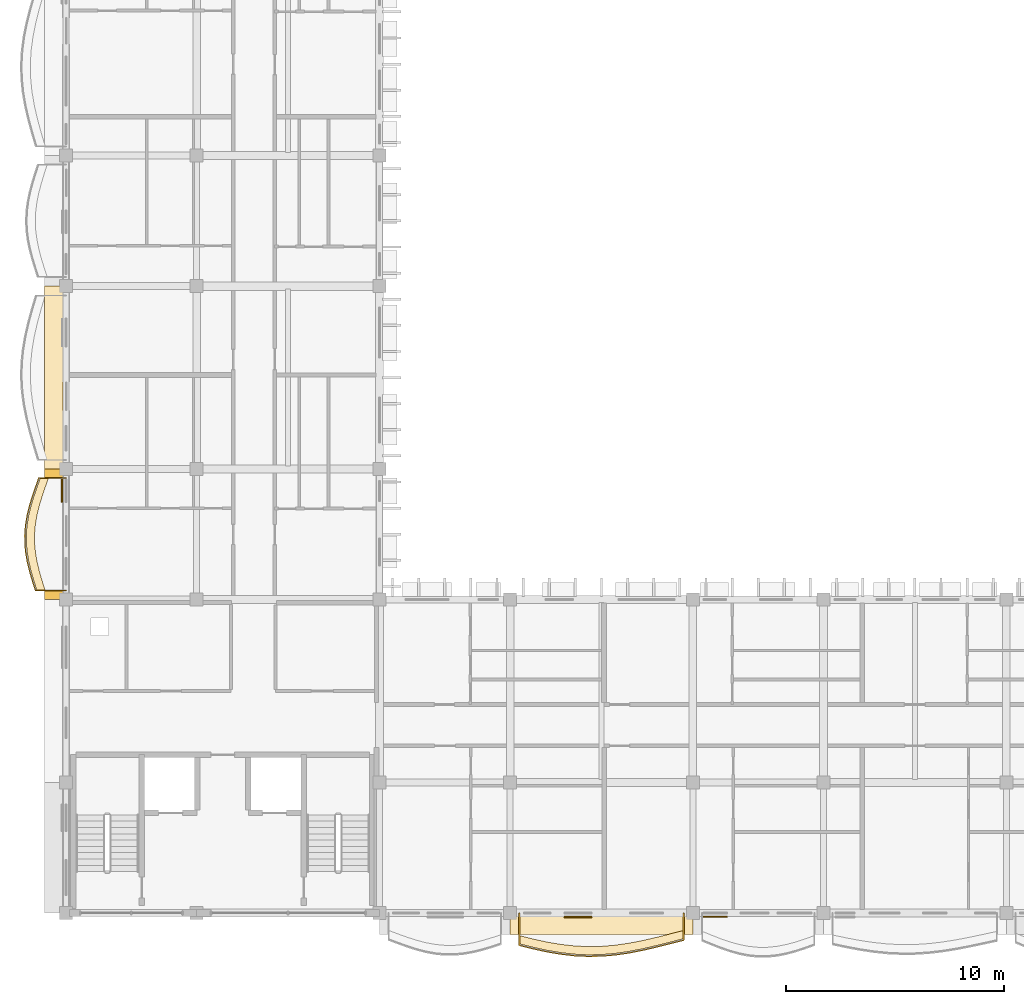
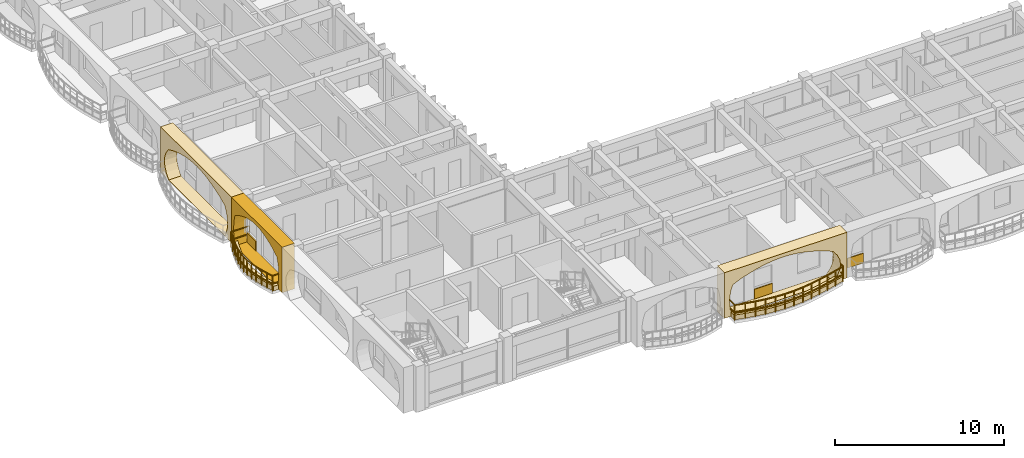
# One storey, part 42 of 70: 8 coverings, 2 railings.
"""IFC4 building model written with IfcOpenShell, lengths in metres."""

import ifcopenshell
import ifcopenshell.guid

model = None  # the IFC model being written
_history = None  # IfcOwnerHistory: only IFC2X3 demands one
_inside = {}  # id of a spatial element -> (the spatial element, [elements in it])
_under = {}  # id of a project, library or spatial element -> (it, [spatial elements below it])
_declared = {}  # id of a project -> (the project, [libraries it declares])
_typed = {}  # id of a type object -> (the type object, [elements of that type])
_made_of = {}  # id of a material, layer set ... -> (it, [elements and type objects made of it])


def new_model(schema):
    """Start an empty IFC model of exactly this schema.

    Asked for "IFC4X3", IfcOpenShell would pick the latest addendum, in which some entities
    have other attributes; the version numbers below select the first issue.
    IFC2X3 requires an IfcOwnerHistory on every rooted entity: one is made here for all.
    """
    global model, _history
    if schema == "IFC4X3":
        model = ifcopenshell.file(schema_version=(4, 3, 0, 0))
    else:
        model = ifcopenshell.file(schema=schema)
    _inside.clear()
    _under.clear()
    _declared.clear()
    _typed.clear()
    _made_of.clear()
    _history = None
    if model.schema == "IFC2X3":
        org = make("IfcOrganization", Name="unknown")
        user = make(
            "IfcPersonAndOrganization",
            ThePerson=make("IfcPerson", FamilyName="unknown"),
            TheOrganization=org,
        )
        app = make(
            "IfcApplication",
            ApplicationDeveloper=org,
            Version="unknown",
            ApplicationFullName="unknown",
            ApplicationIdentifier="unknown",
        )
        _history = make(
            "IfcOwnerHistory",
            OwningUser=user,
            OwningApplication=app,
            ChangeAction="ADDED",
            CreationDate=0,
        )
    return model


def make(cls, **values):
    """One entity of the class cls with the attributes given. An attribute that is None is left unset."""
    return model.create_entity(
        cls, **{name: value for name, value in values.items() if value is not None}
    )


def rooted(cls, **values):
    """An entity with a GlobalId (a new one), such as an element, a storey or a relation."""
    return make(cls, GlobalId=ifcopenshell.guid.new(), OwnerHistory=_history, **values)


def si_unit(unit_type, name, prefix=None):
    """IfcSIUnit, for example si_unit("LENGTHUNIT", "METRE", prefix="MILLI")."""
    return make("IfcSIUnit", UnitType=unit_type, Prefix=prefix, Name=name)


def assignment(units):
    """IfcUnitAssignment: the units of a project."""
    return None if units is None else make("IfcUnitAssignment", Units=units)


def point(xyz):
    """IfcCartesianPoint."""
    return None if xyz is None else make("IfcCartesianPoint", Coordinates=xyz)


def direction(xyz):
    """IfcDirection."""
    return None if xyz is None else make("IfcDirection", DirectionRatios=xyz)


def frame(location, z_axis=None, x_axis=None):
    """IfcAxis2Placement3D, a coordinate frame: its origin and axes. An axis left out is left unset."""
    return make(
        "IfcAxis2Placement3D",
        Location=point(location),
        Axis=direction(z_axis),
        RefDirection=direction(x_axis),
    )


def frame_2d(location, x_axis=None):
    """IfcAxis2Placement2D, a coordinate frame in the plane: its origin and x axis."""
    return make(
        "IfcAxis2Placement2D", Location=point(location), RefDirection=direction(x_axis)
    )


def origin():
    """The frame at (0, 0, 0) with its axes left unset."""
    return frame((0.0, 0.0, 0.0))


def origin_2d():
    """The frame at (0, 0) in the plane with its x axis left unset."""
    return frame_2d((0.0, 0.0))


def place(relative_to, where):
    """IfcLocalPlacement: puts the frame where relative to a parent placement (None: the world)."""
    return make(
        "IfcLocalPlacement", PlacementRelTo=relative_to, RelativePlacement=where
    )


def context(
    kind, dimensions, precision=None, world=None, true_north=None, identifier=None
):
    """IfcGeometricRepresentationContext, for example the 3D "Model" context."""
    return make(
        "IfcGeometricRepresentationContext",
        ContextIdentifier=identifier,
        ContextType=kind,
        CoordinateSpaceDimension=dimensions,
        Precision=precision,
        WorldCoordinateSystem=world,
        TrueNorth=true_north,
    )


def subcontext(parent, identifier, kind, view, scale=None):
    """IfcGeometricRepresentationSubContext, for example "Body" below "Model"."""
    return make(
        "IfcGeometricRepresentationSubContext",
        ContextIdentifier=identifier,
        ContextType=kind,
        ParentContext=parent,
        TargetScale=scale,
        TargetView=view,
    )


def project(units=None, contexts=None):
    """IfcProject with its units and contexts."""
    return rooted(
        "IfcProject",
        Name="project",
        RepresentationContexts=contexts,
        UnitsInContext=assignment(units),
    )


def spatial(cls, under=None, at=None, **own):
    """A site, building, storey or space (cls), placed at a placement, below another one or the project."""
    s = rooted(cls, ObjectPlacement=at, **own)
    if under is not None:
        _under.setdefault(under.id(), (under, []))[1].append(s)
    return s


def polyline(points):
    """IfcPolyline through the points."""
    return make("IfcPolyline", Points=[point(p) for p in points])


def profile(cls, at=None, kind="AREA", **sizes):
    """A parametric profile (cls). Its sizes go by their IFC names, for example OverallWidth=200.0."""
    return make(cls, ProfileType=kind, Position=at, **sizes)


def rectangle(**sizes):
    """IfcRectangleProfileDef."""
    return profile("IfcRectangleProfileDef", **sizes)


def outline(outer, holes=None, kind="AREA"):
    """IfcArbitraryClosedProfileDef: a profile drawn as a closed curve; with holes, ...WithVoids."""
    if holes is None:
        return make("IfcArbitraryClosedProfileDef", ProfileType=kind, OuterCurve=outer)
    return make(
        "IfcArbitraryProfileDefWithVoids",
        ProfileType=kind,
        OuterCurve=outer,
        InnerCurves=holes,
    )


def extrude(swept, where, along, depth):
    """IfcExtrudedAreaSolid: the profile swept, set in the frame where, extruded along a direction by depth."""
    return make(
        "IfcExtrudedAreaSolid",
        SweptArea=swept,
        Position=where,
        ExtrudedDirection=direction(along),
        Depth=depth,
    )


def shape(context_of_items, identifier, shape_type, items):
    """IfcShapeRepresentation: the items that make up one representation, for example the "Body"."""
    return make(
        "IfcShapeRepresentation",
        ContextOfItems=context_of_items,
        RepresentationIdentifier=identifier,
        RepresentationType=shape_type,
        Items=items,
    )


def material(Name=None, Category=None):
    """IfcMaterial."""
    return make("IfcMaterial", Name=Name, Category=Category)


def layer(
    of_material, thickness, ventilated=None, Name=None, Category=None, Priority=None
):
    """IfcMaterialLayer: one layer of a wall or slab, of a material (None: an air gap)."""
    return make(
        "IfcMaterialLayer",
        Material=of_material,
        LayerThickness=thickness,
        IsVentilated=ventilated,
        Name=Name,
        Category=Category,
        Priority=Priority,
    )


def layer_set(layers, Name=None):
    """IfcMaterialLayerSet."""
    return make("IfcMaterialLayerSet", MaterialLayers=layers, LayerSetName=Name)


def made_of(thing, what):
    """Note that an element or type object is made of a material, layer set ...; save() writes the relation."""
    if what is not None:
        _made_of.setdefault(what.id(), (what, []))[1].append(thing)
    return thing


def type_object(cls, material=None, **own):
    """A type object (cls), such as IfcWallType, which elements share."""
    return made_of(rooted(cls, **own), material)


def element(
    cls,
    number,
    at=None,
    inside=None,
    cuts=None,
    type_object=None,
    material=None,
    context=None,
    identifier="Body",
    shape_type=None,
    held_by="IfcProductDefinitionShape",
    body=None,
    shapes=None,
    **own,
):
    """One element of the class cls, such as IfcWall. Its Tag is "e" and its number.

    at: its placement. inside: the storey or other place that contains it. cuts: it is an
    opening in that element (IfcRelVoidsElement). A single representation is given by context,
    identifier, shape_type and body (its items); several are given by shapes. held_by: the class
    of the entity that holds the representations. save() writes the other relations.
    """
    e = rooted(cls, Tag="e%d" % number, ObjectPlacement=at, **own)
    if body is not None:
        shapes = [shape(context, identifier, shape_type, body)]
    if shapes is not None:
        e.Representation = make(held_by, Representations=shapes)
    if inside is not None:
        _inside.setdefault(inside.id(), (inside, []))[1].append(e)
    if cuts is not None:
        rooted(
            "IfcRelVoidsElement", RelatingBuildingElement=cuts, RelatedOpeningElement=e
        )
    if type_object is not None:
        _typed.setdefault(type_object.id(), (type_object, []))[1].append(e)
    return made_of(e, material)


def aggregate(whole, parts):
    """IfcRelAggregates: a whole, such as a stair, and the parts it consists of."""
    return rooted("IfcRelAggregates", RelatingObject=whole, RelatedObjects=parts)


def save(model, path):
    """Write the relations noted so far, then the file.

    IfcRelAggregates (storeys below a building ...), IfcRelContainedInSpatialStructure (elements
    in a storey), IfcRelDefinesByType, IfcRelAssociatesMaterial and IfcRelDeclares: one each for
    every whole, place, type object, material and project.
    """
    for whole, parts in _under.values():
        aggregate(whole, parts)
    for where, things in _inside.values():
        rooted(
            "IfcRelContainedInSpatialStructure",
            RelatedElements=things,
            RelatingStructure=where,
        )
    for kind, things in _typed.values():
        rooted("IfcRelDefinesByType", RelatedObjects=things, RelatingType=kind)
    for what, things in _made_of.values():
        rooted("IfcRelAssociatesMaterial", RelatedObjects=things, RelatingMaterial=what)
    for by, libraries in _declared.values():
        rooted("IfcRelDeclares", RelatingContext=by, RelatedDefinitions=libraries)
    model.write(path)


model = new_model("IFC4")

# Units and contexts
model_context = context("Model", 3, precision=1e-05, world=origin(), true_north=direction((0.0, 1.0)))
body_context = subcontext(model_context, "Body", "Model", "MODEL_VIEW")
ifc_project = project(units=[si_unit("LENGTHUNIT", "METRE"), si_unit("AREAUNIT", "SQUARE_METRE"), si_unit("VOLUMEUNIT", "CUBIC_METRE"), si_unit("PLANEANGLEUNIT", "RADIAN"), si_unit("MASSUNIT", "GRAM", prefix="KILO"), si_unit("THERMODYNAMICTEMPERATUREUNIT", "KELVIN")], contexts=[model_context])

# Site, building, storey
site_placement = place(None, origin())
site = spatial("IfcSite", under=ifc_project, at=site_placement, CompositionType="ELEMENT")
building_placement = place(site_placement, origin())
building = spatial("IfcBuilding", under=site, at=building_placement, Name="Thalorik Housing Commons", CompositionType="ELEMENT")
storey_placement = place(building_placement, frame((0.0, 0.0, 14.699951171875)))
storey = spatial("IfcBuildingStorey", under=building, at=storey_placement, Name="L04", CompositionType="ELEMENT", Elevation=14.699951171875)

# Coverings
ifc_material_1 = material(Name="Precast concrete C40/50", Category="concrete")
ifc_layer_1 = layer(ifc_material_1, 0.85009765625, Name="Precast concrete C40/50", Category="concrete")
ifc_layer_set_1 = layer_set([ifc_layer_1], Name="Precast concrete C40/50")
covering_type_1 = type_object("IfcCoveringType", Name="ARC-CLD-CUSH-850", PredefinedType="CLADDING", material=ifc_layer_set_1)
covering_1_placement = place(storey_placement, frame((7.830078125, 33.0, 0.0), z_axis=(0.0, 0.0, 1.0), x_axis=(0.0, -1.0, 0.0)))
element("IfcCovering", 1, at=covering_1_placement, inside=storey, type_object=covering_type_1, Name="L04 White Precast Curved Cushion Bay Frame 3838", PredefinedType="CLADDING", context=body_context, shape_type="SweptSolid", body=[
    extrude(outline(polyline([(-4.199951171875, 0.0), (4.199951171875, 0.0), (4.199951171875, 3.300048828125), (-4.199951171875, 3.300048828125), (-4.199951171875, 0.0)]), holes=[polyline([(3.409912109375, 0.02490234375), (3.598876953125, 0.390869140625), (3.712158203125, 0.756591796875), (3.75, 1.12255859375), (3.712158203125, 1.48828125), (3.598876953125, 1.854248046875), (3.409912109375, 2.219970703125), (2.855712890625, 2.469482421875), (2.3017578125, 2.66552734375), (1.74755859375, 2.824462890625), (1.193359375, 2.9423828125), (0.63916015625, 3.015380859375), (0.0849609375, 3.0400390625), (-0.46923828125, 3.015380859375), (-1.023193359375, 2.9423828125), (-1.577392578125, 2.824462890625), (-2.131591796875, 2.66552734375), (-2.685791015625, 2.469482421875), (-3.239990234375, 2.219970703125), (-3.523193359375, 1.854248046875), (-3.693359375, 1.48828125), (-3.75, 1.12255859375), (-3.693359375, 0.756591796875), (-3.523193359375, 0.390869140625), (-3.239990234375, 0.02490234375), (3.409912109375, 0.02490234375)])]), frame((0.0, 0.425048828125, 0.0), z_axis=(0.0, -1.0, 0.0), x_axis=(1.0, 0.0, 0.0)), (0.0, 0.0, 1.0), 0.85009765625),
])
covering_2_placement = place(storey_placement, frame((7.830078125, 25.800048828125, 0.0), z_axis=(0.0, 0.0, 1.0), x_axis=(0.0, -1.0, 0.0)))
element("IfcCovering", 2, at=covering_2_placement, inside=storey, type_object=covering_type_1, Name="L04 White Precast Curved Cushion Bay Frame 3840", PredefinedType="CLADDING", context=body_context, shape_type="SweptSolid", body=[
    extrude(outline(polyline([(-3.0, 0.0), (3.0, 0.0), (3.0, 3.300048828125), (-3.0, 3.300048828125), (-3.0, 0.0)]), holes=[polyline([(2.375, 0.02490234375), (2.5068359375, 0.394287109375), (2.586181640625, 0.76318359375), (2.612548828125, 1.132568359375), (2.586181640625, 1.501708984375), (2.5068359375, 1.870849609375), (2.375, 2.239990234375), (1.96240234375, 2.4833984375), (1.550048828125, 2.6748046875), (1.137451171875, 2.82958984375), (0.72509765625, 2.94482421875), (0.3125, 3.01611328125), (-0.10009765625, 3.0400390625), (-0.512451171875, 3.01611328125), (-0.925048828125, 2.94482421875), (-1.33740234375, 2.82958984375), (-1.75, 2.6748046875), (-2.16259765625, 2.4833984375), (-2.574951171875, 2.239990234375), (-2.664794921875, 1.870849609375), (-2.718505859375, 1.501708984375), (-2.736572265625, 1.132568359375), (-2.718505859375, 0.76318359375), (-2.664794921875, 0.394287109375), (-2.574951171875, 0.02490234375), (2.375, 0.02490234375)])]), frame((0.0, 0.425048828125, 0.0), z_axis=(0.0, -1.0, 0.0), x_axis=(1.0, 0.0, 0.0)), (0.0, 0.0, 1.0), 0.85009765625),
])
covering_3_placement = place(storey_placement, frame((33.0, 7.830078125, 0.0), z_axis=(0.0, 0.0, 1.0), x_axis=(1.0, 0.0, 0.0)))
element("IfcCovering", 3, at=covering_3_placement, inside=storey, type_object=covering_type_1, Name="L04 White Precast Curved Cushion Bay Frame 3848", PredefinedType="CLADDING", context=body_context, shape_type="SweptSolid", body=[
    extrude(outline(polyline([(-4.199951171875, 0.0), (4.199951171875, 0.0), (4.199951171875, 3.300048828125), (-4.199951171875, 3.300048828125), (-4.199951171875, 0.0)]), holes=[polyline([(3.239990234375, 0.02490234375), (3.523193359375, 0.394287109375), (3.693359375, 0.76318359375), (3.75, 1.132568359375), (3.693359375, 1.501708984375), (3.523193359375, 1.870849609375), (3.239990234375, 2.239990234375), (2.66748046875, 2.4833984375), (2.094970703125, 2.6748046875), (1.5224609375, 2.82958984375), (0.949951171875, 2.94482421875), (0.37744140625, 3.01611328125), (-0.195068359375, 3.0400390625), (-0.767578125, 3.01611328125), (-1.340087890625, 2.94482421875), (-1.91259765625, 2.82958984375), (-2.485107421875, 2.6748046875), (-3.0576171875, 2.4833984375), (-3.6298828125, 2.239990234375), (-3.750244140625, 1.870849609375), (-3.822509765625, 1.501708984375), (-3.8466796875, 1.132568359375), (-3.822509765625, 0.76318359375), (-3.750244140625, 0.394287109375), (-3.6298828125, 0.02490234375), (3.239990234375, 0.02490234375)])]), frame((0.0, 0.425048828125, 0.0), z_axis=(0.0, -1.0, 0.0), x_axis=(1.0, 0.0, 0.0)), (0.0, 0.0, 1.0), 0.85009765625),
])
ifc_material_2 = material(Name="Terracotta red mineral fibre-cement panel", Category="masonry")
ifc_layer_2 = layer(ifc_material_2, 0.054931640625, Name="Terracotta red mineral fibre-cement panel", Category="masonry")
ifc_layer_set_2 = layer_set([ifc_layer_2], Name="Terracotta red mineral fibre-cement panel")
covering_type_2 = type_object("IfcCoveringType", Name="ARC-CLD-RED-55", PredefinedType="CLADDING", material=ifc_layer_set_2)
covering_4_placement = place(storey_placement, frame((38.219970703125, 8.222412109375, 0.05029296875), z_axis=(0.0, 0.0, 1.0), x_axis=(1.0, 0.0, 0.0)))
element("IfcCovering", 4, at=covering_4_placement, inside=storey, type_object=covering_type_2, Name="L04 De Stijl Recessed Window Spandrel 3851", PredefinedType="CLADDING", context=body_context, shape_type="SweptSolid", body=[
    extrude(rectangle(XDim=1.10009765625, YDim=0.054931640625, at=origin_2d()), origin(), (0.0, 0.0, 1.0), 0.699951171875),
])
ifc_material_3 = material(Name="Mineral ochre architectural terracotta panel", Category="masonry")
ifc_layer_3 = layer(ifc_material_3, 0.06494140625, Name="Mineral ochre architectural terracotta panel", Category="masonry")
ifc_layer_set_3 = layer_set([ifc_layer_3], Name="Mineral ochre architectural terracotta panel")
covering_type_3 = type_object("IfcCoveringType", Name="ARC-CLD-YEL-65", PredefinedType="CLADDING", material=ifc_layer_set_3)
covering_5_placement = place(storey_placement, frame((8.217529296875, 27.800048828125, 0.05029296875), z_axis=(0.0, 0.0, 1.0), x_axis=(0.0, -1.0, 0.0)))
element("IfcCovering", 5, at=covering_5_placement, inside=storey, type_object=covering_type_3, Name="L04 De Stijl Recessed Window Spandrel 3841", PredefinedType="CLADDING", context=body_context, shape_type="SweptSolid", body=[
    extrude(rectangle(XDim=1.050048828125, YDim=0.06494140625, at=origin_2d()), origin(), (0.0, 0.0, 1.0), 0.699951171875),
])
covering_6_placement = place(storey_placement, frame((31.919921875, 8.217529296875, 0.05029296875), z_axis=(0.0, 0.0, 1.0), x_axis=(1.0, 0.0, 0.0)))
element("IfcCovering", 6, at=covering_6_placement, inside=storey, type_object=covering_type_3, Name="L04 De Stijl Recessed Window Spandrel 3849", PredefinedType="CLADDING", context=body_context, shape_type="SweptSolid", body=[
    extrude(rectangle(XDim=1.25, YDim=0.06494140625, at=origin_2d()), origin(), (0.0, 0.0, 1.0), 0.699951171875),
])
ifc_material_4 = material(Name="Planted vegetated substrate and terracotta trough", Category="masonry")
ifc_layer_4 = layer(ifc_material_4, 0.340087890625, Name="Planted vegetated substrate and terracotta trough", Category="masonry")
ifc_layer_set_4 = layer_set([ifc_layer_4], Name="Planted vegetated substrate and terracotta trough")
covering_type_4 = type_object("IfcCoveringType", Name="ARC-COV-PLANTER", PredefinedType="USERDEFINED", material=ifc_layer_set_4)
covering_7_placement = place(storey_placement, origin())
element("IfcCovering", 7, at=covering_7_placement, inside=storey, type_object=covering_type_4, Name="L04 Balcony Slab-Edge Planted Trough 5587", ObjectType="PLANTER", PredefinedType="USERDEFINED", context=body_context, shape_type="SweptSolid", body=[
    extrude(outline(polyline([(7.213134765625, 28.3798828125), (7.060302734375, 27.949951171875), (6.913818359375, 27.52001953125), (6.7841796875, 27.090087890625), (6.68017578125, 26.659912109375), (6.608154296875, 26.22998046875), (6.572998046875, 25.800048828125), (6.576904296875, 25.3701171875), (6.618408203125, 24.93994140625), (6.694580078125, 24.510009765625), (6.79931640625, 24.080078125), (6.924560546875, 23.64990234375), (7.061279296875, 23.219970703125), (7.44140625, 23.219970703125), (7.304443359375, 23.64990234375), (7.17919921875, 24.080078125), (7.074462890625, 24.510009765625), (6.998291015625, 24.93994140625), (6.956787109375, 25.3701171875), (6.953125, 25.800048828125), (6.98828125, 26.22998046875), (7.06005859375, 26.659912109375), (7.164306640625, 27.090087890625), (7.2939453125, 27.52001953125), (7.440185546875, 27.949951171875), (7.59326171875, 28.3798828125), (7.213134765625, 28.3798828125)])), origin(), (0.0, 0.0, 1.0), 0.340087890625),
])
covering_8_placement = place(storey_placement, origin())
element("IfcCovering", 8, at=covering_8_placement, inside=storey, type_object=covering_type_4, Name="L04 Balcony Slab-Edge Planted Trough 5593", ObjectType="PLANTER", PredefinedType="USERDEFINED", context=body_context, shape_type="SweptSolid", body=[
    extrude(outline(polyline([(29.219970703125, 6.982421875), (29.85009765625, 6.825927734375), (30.47998046875, 6.68896484375), (31.110107421875, 6.580810546875), (31.739990234375, 6.5087890625), (32.3701171875, 6.4775390625), (33.0, 6.489013671875), (33.6298828125, 6.542236328125), (34.260009765625, 6.63330078125), (34.889892578125, 6.755615234375), (35.52001953125, 6.90087890625), (36.14990234375, 7.059326171875), (36.780029296875, 7.219482421875), (36.780029296875, 7.599609375), (36.14990234375, 7.439208984375), (35.52001953125, 7.281005859375), (34.889892578125, 7.135498046875), (34.260009765625, 7.01318359375), (33.6298828125, 6.922119140625), (33.0, 6.868896484375), (32.3701171875, 6.857666015625), (31.739990234375, 6.888916015625), (31.110107421875, 6.9609375), (30.47998046875, 7.069091796875), (29.85009765625, 7.205810546875), (29.219970703125, 7.3623046875), (29.219970703125, 6.982421875)])), origin(), (0.0, 0.0, 1.0), 0.340087890625),
])

# Railings
ifc_material_5 = material(Name="Steel S355", Category="steel")
railing_type = type_object("IfcRailingType", Name="ARC-RL-BAL-115", PredefinedType="BALUSTRADE", material=ifc_material_5)
railing_1_placement = place(storey_placement, frame((8.39990234375, 28.3798828125, 0.0)))
element("IfcRailing", 9, at=railing_1_placement, inside=storey, type_object=railing_type, Name="L04 Cushion Balcony Guardrail 271", PredefinedType="BALUSTRADE", context=body_context, shape_type="SweptSolid", body=[
    extrude(rectangle(XDim=0.050048828125, YDim=0.050048828125, at=origin_2d()), frame((0.0, 0.0, 1.125), z_axis=(-1.0, 0.0, 0.0), x_axis=(0.0, -1.0, 0.0)), (0.0, 0.0, 1.0), 1.256591796875),
    extrude(rectangle(XDim=0.050048828125, YDim=0.050048828125, at=origin_2d()), frame((0.0, 0.0, 0.5498046875), z_axis=(-1.0, 0.0, 0.0), x_axis=(0.0, -1.0, 0.0)), (0.0, 0.0, 1.0), 1.256591796875),
    extrude(rectangle(XDim=0.050048828125, YDim=0.050048828125, at=origin_2d()), frame((-1.256591796875, 0.0, 1.125), z_axis=(-0.335421235199, -0.942068253885, 0.0), x_axis=(0.942068253885, -0.335421235199, 0.0)), (0.0, 0.0, 1.0), 0.456298828125),
    extrude(rectangle(XDim=0.050048828125, YDim=0.050048828125, at=origin_2d()), frame((-1.256591796875, 0.0, 0.5498046875), z_axis=(-0.335421235199, -0.942068253885, 0.0), x_axis=(0.942068253885, -0.335421235199, 0.0)), (0.0, 0.0, 1.0), 0.456298828125),
    extrude(rectangle(XDim=0.050048828125, YDim=0.050048828125, at=origin_2d()), frame((-1.40966796875, -0.429931640625, 1.125), z_axis=(-0.322028024828, -0.94673013643, 0.0), x_axis=(0.94673013643, -0.322028024828, 0.0)), (0.0, 0.0, 1.0), 0.4541015625),
    extrude(rectangle(XDim=0.050048828125, YDim=0.050048828125, at=origin_2d()), frame((-1.40966796875, -0.429931640625, 0.5498046875), z_axis=(-0.322028024828, -0.94673013643, 0.0), x_axis=(0.94673013643, -0.322028024828, 0.0)), (0.0, 0.0, 1.0), 0.4541015625),
    extrude(rectangle(XDim=0.050048828125, YDim=0.050048828125, at=origin_2d()), frame((-1.555908203125, -0.85986328125, 1.125), z_axis=(-0.28869433299, -0.957421319012, 0.0), x_axis=(0.957421319012, -0.28869433299, 0.0)), (0.0, 0.0, 1.0), 0.448974609375),
    extrude(rectangle(XDim=0.050048828125, YDim=0.050048828125, at=origin_2d()), frame((-1.555908203125, -0.85986328125, 0.5498046875), z_axis=(-0.28869433299, -0.957421319012, 0.0), x_axis=(0.957421319012, -0.28869433299, 0.0)), (0.0, 0.0, 1.0), 0.448974609375),
    extrude(rectangle(XDim=0.050048828125, YDim=0.050048828125, at=origin_2d()), frame((-1.685546875, -1.289794921875, 1.125), z_axis=(-0.235521092215, -0.971869237666, 0.0), x_axis=(0.971869237666, -0.235521092215, 0.0)), (0.0, 0.0, 1.0), 0.442626953125),
    extrude(rectangle(XDim=0.050048828125, YDim=0.050048828125, at=origin_2d()), frame((-1.685546875, -1.289794921875, 0.5498046875), z_axis=(-0.235521092215, -0.971869237666, 0.0), x_axis=(0.971869237666, -0.235521092215, 0.0)), (0.0, 0.0, 1.0), 0.442626953125),
    extrude(rectangle(XDim=0.050048828125, YDim=0.050048828125, at=origin_2d()), frame((-1.789794921875, -1.719970703125, 1.125), z_axis=(-0.165216308844, -0.986257355507, 0.0), x_axis=(0.986257355507, -0.165216308844, 0.0)), (0.0, 0.0, 1.0), 0.43603515625),
    extrude(rectangle(XDim=0.050048828125, YDim=0.050048828125, at=origin_2d()), frame((-1.789794921875, -1.719970703125, 0.5498046875), z_axis=(-0.165216308844, -0.986257355507, 0.0), x_axis=(0.986257355507, -0.165216308844, 0.0)), (0.0, 0.0, 1.0), 0.43603515625),
    extrude(rectangle(XDim=0.050048828125, YDim=0.050048828125, at=origin_2d()), frame((-1.86181640625, -2.14990234375, 1.125), z_axis=(-0.080937446433, -0.996719183002, 0.0), x_axis=(0.996719183002, -0.080937446433, 0.0)), (0.0, 0.0, 1.0), 0.431396484375),
    extrude(rectangle(XDim=0.050048828125, YDim=0.050048828125, at=origin_2d()), frame((-1.86181640625, -2.14990234375, 0.5498046875), z_axis=(-0.080937446433, -0.996719183002, 0.0), x_axis=(0.996719183002, -0.080937446433, 0.0)), (0.0, 0.0, 1.0), 0.431396484375),
    extrude(rectangle(XDim=0.050048828125, YDim=0.050048828125, at=origin_2d()), frame((-1.896728515625, -2.579833984375, 1.125), z_axis=(0.008517578576, -0.99996372477, 0.0), x_axis=(0.99996372477, 0.008517578576, 0.0)), (0.0, 0.0, 1.0), 0.429931640625),
    extrude(rectangle(XDim=0.050048828125, YDim=0.050048828125, at=origin_2d()), frame((-1.896728515625, -2.579833984375, 0.5498046875), z_axis=(0.008517578576, -0.99996372477, 0.0), x_axis=(0.99996372477, 0.008517578576, 0.0)), (0.0, 0.0, 1.0), 0.429931640625),
    extrude(rectangle(XDim=0.050048828125, YDim=0.050048828125, at=origin_2d()), frame((-1.89306640625, -3.009765625, 1.125), z_axis=(0.09603532772, -0.995377926131, 0.0), x_axis=(0.995377926131, 0.09603532772, 0.0)), (0.0, 0.0, 1.0), 0.43212890625),
    extrude(rectangle(XDim=0.050048828125, YDim=0.050048828125, at=origin_2d()), frame((-1.89306640625, -3.009765625, 0.5498046875), z_axis=(0.09603532772, -0.995377926131, 0.0), x_axis=(0.995377926131, 0.09603532772, 0.0)), (0.0, 0.0, 1.0), 0.43212890625),
    extrude(rectangle(XDim=0.050048828125, YDim=0.050048828125, at=origin_2d()), frame((-1.8515625, -3.43994140625, 1.125), z_axis=(0.174455149241, -0.984665121198, 0.0), x_axis=(0.984665121198, 0.174455149241, 0.0)), (0.0, 0.0, 1.0), 0.4365234375),
    extrude(rectangle(XDim=0.050048828125, YDim=0.050048828125, at=origin_2d()), frame((-1.8515625, -3.43994140625, 0.5498046875), z_axis=(0.174455149241, -0.984665121198, 0.0), x_axis=(0.984665121198, 0.174455149241, 0.0)), (0.0, 0.0, 1.0), 0.4365234375),
    extrude(rectangle(XDim=0.050048828125, YDim=0.050048828125, at=origin_2d()), frame((-1.775390625, -3.869873046875, 1.125), z_axis=(0.236689448034, -0.971585356615, 0.0), x_axis=(0.971585356615, 0.236689448034, 0.0)), (0.0, 0.0, 1.0), 0.442626953125),
    extrude(rectangle(XDim=0.050048828125, YDim=0.050048828125, at=origin_2d()), frame((-1.775390625, -3.869873046875, 0.5498046875), z_axis=(0.236689448034, -0.971585356615, 0.0), x_axis=(0.971585356615, 0.236689448034, 0.0)), (0.0, 0.0, 1.0), 0.442626953125),
    extrude(rectangle(XDim=0.050048828125, YDim=0.050048828125, at=origin_2d()), frame((-1.670654296875, -4.2998046875, 1.125), z_axis=(0.279539626528, -0.960134155835, 0.0), x_axis=(0.960134155835, 0.279539626528, 0.0)), (0.0, 0.0, 1.0), 0.447998046875),
    extrude(rectangle(XDim=0.050048828125, YDim=0.050048828125, at=origin_2d()), frame((-1.670654296875, -4.2998046875, 0.5498046875), z_axis=(0.279539626528, -0.960134155835, 0.0), x_axis=(0.960134155835, 0.279539626528, 0.0)), (0.0, 0.0, 1.0), 0.447998046875),
    extrude(rectangle(XDim=0.050048828125, YDim=0.050048828125, at=origin_2d()), frame((-1.54541015625, -4.72998046875, 1.125), z_axis=(0.30304729671, -0.952975516976, 0.0), x_axis=(0.952975516976, 0.30304729671, 0.0)), (0.0, 0.0, 1.0), 0.451171875),
    extrude(rectangle(XDim=0.050048828125, YDim=0.050048828125, at=origin_2d()), frame((-1.54541015625, -4.72998046875, 0.5498046875), z_axis=(0.30304729671, -0.952975516976, 0.0), x_axis=(0.952975516976, 0.30304729671, 0.0)), (0.0, 0.0, 1.0), 0.451171875),
    extrude(rectangle(XDim=0.050048828125, YDim=0.050048828125, at=origin_2d()), frame((-1.40869140625, -5.159912109375, 1.125), z_axis=(1.0, 0.0, 0.0), x_axis=(0.0, 1.0, 0.0)), (0.0, 0.0, 1.0), 1.40869140625),
    extrude(rectangle(XDim=0.050048828125, YDim=0.050048828125, at=origin_2d()), frame((-1.40869140625, -5.159912109375, 0.5498046875), z_axis=(1.0, 0.0, 0.0), x_axis=(0.0, 1.0, 0.0)), (0.0, 0.0, 1.0), 1.40869140625),
    extrude(rectangle(XDim=0.0419921875, YDim=0.0419921875, at=origin_2d()), origin(), (0.0, 0.0, 1.0), 1.099853515625),
    extrude(rectangle(XDim=0.0419921875, YDim=0.0419921875, at=origin_2d()), frame((-1.256591796875, 0.0, 0.0)), (0.0, 0.0, 1.0), 1.099853515625),
    extrude(rectangle(XDim=0.0419921875, YDim=0.0419921875, at=origin_2d()), frame((-1.40966796875, -0.429931640625, 0.0)), (0.0, 0.0, 1.0), 1.099853515625),
    extrude(rectangle(XDim=0.0419921875, YDim=0.0419921875, at=origin_2d()), frame((-1.555908203125, -0.85986328125, 0.0)), (0.0, 0.0, 1.0), 1.099853515625),
    extrude(rectangle(XDim=0.0419921875, YDim=0.0419921875, at=origin_2d()), frame((-1.685546875, -1.289794921875, 0.0)), (0.0, 0.0, 1.0), 1.099853515625),
    extrude(rectangle(XDim=0.0419921875, YDim=0.0419921875, at=origin_2d()), frame((-1.789794921875, -1.719970703125, 0.0)), (0.0, 0.0, 1.0), 1.099853515625),
    extrude(rectangle(XDim=0.0419921875, YDim=0.0419921875, at=origin_2d()), frame((-1.86181640625, -2.14990234375, 0.0)), (0.0, 0.0, 1.0), 1.099853515625),
    extrude(rectangle(XDim=0.0419921875, YDim=0.0419921875, at=origin_2d()), frame((-1.896728515625, -2.579833984375, 0.0)), (0.0, 0.0, 1.0), 1.099853515625),
    extrude(rectangle(XDim=0.0419921875, YDim=0.0419921875, at=origin_2d()), frame((-1.89306640625, -3.009765625, 0.0)), (0.0, 0.0, 1.0), 1.099853515625),
    extrude(rectangle(XDim=0.0419921875, YDim=0.0419921875, at=origin_2d()), frame((-1.8515625, -3.43994140625, 0.0)), (0.0, 0.0, 1.0), 1.099853515625),
    extrude(rectangle(XDim=0.0419921875, YDim=0.0419921875, at=origin_2d()), frame((-1.775390625, -3.869873046875, 0.0)), (0.0, 0.0, 1.0), 1.099853515625),
    extrude(rectangle(XDim=0.0419921875, YDim=0.0419921875, at=origin_2d()), frame((-1.670654296875, -4.2998046875, 0.0)), (0.0, 0.0, 1.0), 1.099853515625),
    extrude(rectangle(XDim=0.0419921875, YDim=0.0419921875, at=origin_2d()), frame((-1.54541015625, -4.72998046875, 0.0)), (0.0, 0.0, 1.0), 1.099853515625),
    extrude(rectangle(XDim=0.0419921875, YDim=0.0419921875, at=origin_2d()), frame((-1.40869140625, -5.159912109375, 0.0)), (0.0, 0.0, 1.0), 1.099853515625),
    extrude(rectangle(XDim=0.0419921875, YDim=0.0419921875, at=origin_2d()), frame((0.0, -5.159912109375, 0.0)), (0.0, 0.0, 1.0), 1.099853515625),
])
railing_2_placement = place(storey_placement, frame((29.219970703125, 8.39990234375, 0.0)))
element("IfcRailing", 10, at=railing_2_placement, inside=storey, type_object=railing_type, Name="L04 Cushion Balcony Guardrail 277", PredefinedType="BALUSTRADE", context=body_context, shape_type="SweptSolid", body=[
    extrude(rectangle(XDim=0.050048828125, YDim=0.050048828125, at=origin_2d()), frame((0.0, 0.0, 1.125), z_axis=(0.0, -1.0, 0.0), x_axis=(1.0, 0.0, 0.0)), (0.0, 0.0, 1.0), 1.487548828125),
    extrude(rectangle(XDim=0.050048828125, YDim=0.050048828125, at=origin_2d()), frame((0.0, 0.0, 0.5498046875), z_axis=(0.0, -1.0, 0.0), x_axis=(1.0, 0.0, 0.0)), (0.0, 0.0, 1.0), 1.487548828125),
    extrude(rectangle(XDim=0.050048828125, YDim=0.050048828125, at=origin_2d()), frame((0.0, -1.487548828125, 1.125), z_axis=(0.970517357954, -0.241031238453, 0.0), x_axis=(0.241031238453, 0.970517357954, 0.0)), (0.0, 0.0, 1.0), 0.649169921875),
    extrude(rectangle(XDim=0.050048828125, YDim=0.050048828125, at=origin_2d()), frame((0.0, -1.487548828125, 0.5498046875), z_axis=(0.970517357954, -0.241031238453, 0.0), x_axis=(0.241031238453, 0.970517357954, 0.0)), (0.0, 0.0, 1.0), 0.649169921875),
    extrude(rectangle(XDim=0.050048828125, YDim=0.050048828125, at=origin_2d()), frame((0.630126953125, -1.64404296875, 1.125), z_axis=(0.977166107914, -0.212476816488, 0.0), x_axis=(0.212476816488, 0.977166107914, 0.0)), (0.0, 0.0, 1.0), 0.64453125),
    extrude(rectangle(XDim=0.050048828125, YDim=0.050048828125, at=origin_2d()), frame((0.630126953125, -1.64404296875, 0.5498046875), z_axis=(0.977166107914, -0.212476816488, 0.0), x_axis=(0.212476816488, 0.977166107914, 0.0)), (0.0, 0.0, 1.0), 0.64453125),
    extrude(rectangle(XDim=0.050048828125, YDim=0.050048828125, at=origin_2d()), frame((1.260009765625, -1.781005859375, 1.125), z_axis=(0.98565131333, -0.168794219485, 0.0), x_axis=(0.168794219485, 0.98565131333, 0.0)), (0.0, 0.0, 1.0), 0.639404296875),
    extrude(rectangle(XDim=0.050048828125, YDim=0.050048828125, at=origin_2d()), frame((1.260009765625, -1.781005859375, 0.5498046875), z_axis=(0.98565131333, -0.168794219485, 0.0), x_axis=(0.168794219485, 0.98565131333, 0.0)), (0.0, 0.0, 1.0), 0.639404296875),
    extrude(rectangle(XDim=0.050048828125, YDim=0.050048828125, at=origin_2d()), frame((1.89013671875, -1.888916015625, 1.125), z_axis=(0.993482931157, -0.113980987451, 0.0), x_axis=(0.113980987451, 0.993482931157, 0.0)), (0.0, 0.0, 1.0), 0.634033203125),
    extrude(rectangle(XDim=0.050048828125, YDim=0.050048828125, at=origin_2d()), frame((1.89013671875, -1.888916015625, 0.5498046875), z_axis=(0.993482931157, -0.113980987451, 0.0), x_axis=(0.113980987451, 0.993482931157, 0.0)), (0.0, 0.0, 1.0), 0.634033203125),
    extrude(rectangle(XDim=0.050048828125, YDim=0.050048828125, at=origin_2d()), frame((2.52001953125, -1.961181640625, 1.125), z_axis=(0.998791591771, -0.049146273597, 0.0), x_axis=(0.049146273597, 0.998791591771, 0.0)), (0.0, 0.0, 1.0), 0.630859375),
    extrude(rectangle(XDim=0.050048828125, YDim=0.050048828125, at=origin_2d()), frame((2.52001953125, -1.961181640625, 0.5498046875), z_axis=(0.998791591771, -0.049146273597, 0.0), x_axis=(0.049146273597, 0.998791591771, 0.0)), (0.0, 0.0, 1.0), 0.630859375),
    extrude(rectangle(XDim=0.050048828125, YDim=0.050048828125, at=origin_2d()), frame((3.150146484375, -1.9921875, 1.125), z_axis=(0.99984109311, 0.017826624141, 0.0), x_axis=(-0.017826624141, 0.99984109311, 0.0)), (0.0, 0.0, 1.0), 0.6298828125),
    extrude(rectangle(XDim=0.050048828125, YDim=0.050048828125, at=origin_2d()), frame((3.150146484375, -1.9921875, 0.5498046875), z_axis=(0.99984109311, 0.017826624141, 0.0), x_axis=(-0.017826624141, 0.99984109311, 0.0)), (0.0, 0.0, 1.0), 0.6298828125),
    extrude(rectangle(XDim=0.050048828125, YDim=0.050048828125, at=origin_2d()), frame((3.780029296875, -1.98095703125, 1.125), z_axis=(0.99644920467, 0.084196095588, 0.0), x_axis=(-0.084196095588, 0.99644920467, 0.0)), (0.0, 0.0, 1.0), 0.632080078125),
    extrude(rectangle(XDim=0.050048828125, YDim=0.050048828125, at=origin_2d()), frame((3.780029296875, -1.98095703125, 0.5498046875), z_axis=(0.99644920467, 0.084196095588, 0.0), x_axis=(-0.084196095588, 0.99644920467, 0.0)), (0.0, 0.0, 1.0), 0.632080078125),
    extrude(rectangle(XDim=0.050048828125, YDim=0.050048828125, at=origin_2d()), frame((4.409912109375, -1.927734375, 1.125), z_axis=(0.989718105742, 0.143031713848, 0.0), x_axis=(-0.143031713848, 0.989718105742, 0.0)), (0.0, 0.0, 1.0), 0.63671875),
    extrude(rectangle(XDim=0.050048828125, YDim=0.050048828125, at=origin_2d()), frame((4.409912109375, -1.927734375, 0.5498046875), z_axis=(0.989718105742, 0.143031713848, 0.0), x_axis=(-0.143031713848, 0.989718105742, 0.0)), (0.0, 0.0, 1.0), 0.63671875),
    extrude(rectangle(XDim=0.050048828125, YDim=0.050048828125, at=origin_2d()), frame((5.0400390625, -1.836669921875, 1.125), z_axis=(0.981662885064, 0.190625234658, 0.0), x_axis=(-0.190625234658, 0.981662885064, 0.0)), (0.0, 0.0, 1.0), 0.6416015625),
    extrude(rectangle(XDim=0.050048828125, YDim=0.050048828125, at=origin_2d()), frame((5.0400390625, -1.836669921875, 0.5498046875), z_axis=(0.981662885064, 0.190625234658, 0.0), x_axis=(-0.190625234658, 0.981662885064, 0.0)), (0.0, 0.0, 1.0), 0.6416015625),
    extrude(rectangle(XDim=0.050048828125, YDim=0.050048828125, at=origin_2d()), frame((5.669921875, -1.71435546875, 1.125), z_axis=(0.974359373104, 0.224997360081, 0.0), x_axis=(-0.224997360081, 0.974359373104, 0.0)), (0.0, 0.0, 1.0), 0.646728515625),
    extrude(rectangle(XDim=0.050048828125, YDim=0.050048828125, at=origin_2d()), frame((5.669921875, -1.71435546875, 0.5498046875), z_axis=(0.974359373104, 0.224997360081, 0.0), x_axis=(-0.224997360081, 0.974359373104, 0.0)), (0.0, 0.0, 1.0), 0.646728515625),
    extrude(rectangle(XDim=0.050048828125, YDim=0.050048828125, at=origin_2d()), frame((6.300048828125, -1.56884765625, 1.125), z_axis=(0.969876563393, 0.243596904294, 0.0), x_axis=(-0.243596904294, 0.969876563393, 0.0)), (0.0, 0.0, 1.0), 0.6494140625),
    extrude(rectangle(XDim=0.050048828125, YDim=0.050048828125, at=origin_2d()), frame((6.300048828125, -1.56884765625, 0.5498046875), z_axis=(0.969876563393, 0.243596904294, 0.0), x_axis=(-0.243596904294, 0.969876563393, 0.0)), (0.0, 0.0, 1.0), 0.6494140625),
    extrude(rectangle(XDim=0.050048828125, YDim=0.050048828125, at=origin_2d()), frame((6.929931640625, -1.41064453125, 1.125), z_axis=(0.969095541918, 0.246685691995, 0.0), x_axis=(-0.246685691995, 0.969095541918, 0.0)), (0.0, 0.0, 1.0), 0.650146484375),
    extrude(rectangle(XDim=0.050048828125, YDim=0.050048828125, at=origin_2d()), frame((6.929931640625, -1.41064453125, 0.5498046875), z_axis=(0.969095541918, 0.246685691995, 0.0), x_axis=(-0.246685691995, 0.969095541918, 0.0)), (0.0, 0.0, 1.0), 0.650146484375),
    extrude(rectangle(XDim=0.050048828125, YDim=0.050048828125, at=origin_2d()), frame((7.56005859375, -1.250244140625, 1.125), z_axis=(0.0, 1.0, 0.0), x_axis=(-1.0, 0.0, 0.0)), (0.0, 0.0, 1.0), 1.250244140625),
    extrude(rectangle(XDim=0.050048828125, YDim=0.050048828125, at=origin_2d()), frame((7.56005859375, -1.250244140625, 0.5498046875), z_axis=(0.0, 1.0, 0.0), x_axis=(-1.0, 0.0, 0.0)), (0.0, 0.0, 1.0), 1.250244140625),
    extrude(rectangle(XDim=0.0419921875, YDim=0.0419921875, at=origin_2d()), origin(), (0.0, 0.0, 1.0), 1.099853515625),
    extrude(rectangle(XDim=0.0419921875, YDim=0.0419921875, at=origin_2d()), frame((0.0, -1.487548828125, 0.0)), (0.0, 0.0, 1.0), 1.099853515625),
    extrude(rectangle(XDim=0.0419921875, YDim=0.0419921875, at=origin_2d()), frame((0.630126953125, -1.64404296875, 0.0)), (0.0, 0.0, 1.0), 1.099853515625),
    extrude(rectangle(XDim=0.0419921875, YDim=0.0419921875, at=origin_2d()), frame((1.260009765625, -1.781005859375, 0.0)), (0.0, 0.0, 1.0), 1.099853515625),
    extrude(rectangle(XDim=0.0419921875, YDim=0.0419921875, at=origin_2d()), frame((1.89013671875, -1.888916015625, 0.0)), (0.0, 0.0, 1.0), 1.099853515625),
    extrude(rectangle(XDim=0.0419921875, YDim=0.0419921875, at=origin_2d()), frame((2.52001953125, -1.961181640625, 0.0)), (0.0, 0.0, 1.0), 1.099853515625),
    extrude(rectangle(XDim=0.0419921875, YDim=0.0419921875, at=origin_2d()), frame((3.150146484375, -1.9921875, 0.0)), (0.0, 0.0, 1.0), 1.099853515625),
    extrude(rectangle(XDim=0.0419921875, YDim=0.0419921875, at=origin_2d()), frame((3.780029296875, -1.98095703125, 0.0)), (0.0, 0.0, 1.0), 1.099853515625),
    extrude(rectangle(XDim=0.0419921875, YDim=0.0419921875, at=origin_2d()), frame((4.409912109375, -1.927734375, 0.0)), (0.0, 0.0, 1.0), 1.099853515625),
    extrude(rectangle(XDim=0.0419921875, YDim=0.0419921875, at=origin_2d()), frame((5.0400390625, -1.836669921875, 0.0)), (0.0, 0.0, 1.0), 1.099853515625),
    extrude(rectangle(XDim=0.0419921875, YDim=0.0419921875, at=origin_2d()), frame((5.669921875, -1.71435546875, 0.0)), (0.0, 0.0, 1.0), 1.099853515625),
    extrude(rectangle(XDim=0.0419921875, YDim=0.0419921875, at=origin_2d()), frame((6.300048828125, -1.56884765625, 0.0)), (0.0, 0.0, 1.0), 1.099853515625),
    extrude(rectangle(XDim=0.0419921875, YDim=0.0419921875, at=origin_2d()), frame((6.929931640625, -1.41064453125, 0.0)), (0.0, 0.0, 1.0), 1.099853515625),
    extrude(rectangle(XDim=0.0419921875, YDim=0.0419921875, at=origin_2d()), frame((7.56005859375, -1.250244140625, 0.0)), (0.0, 0.0, 1.0), 1.099853515625),
    extrude(rectangle(XDim=0.0419921875, YDim=0.0419921875, at=origin_2d()), frame((7.56005859375, 0.0, 0.0)), (0.0, 0.0, 1.0), 1.099853515625),
])

save(model, "model.ifc")
